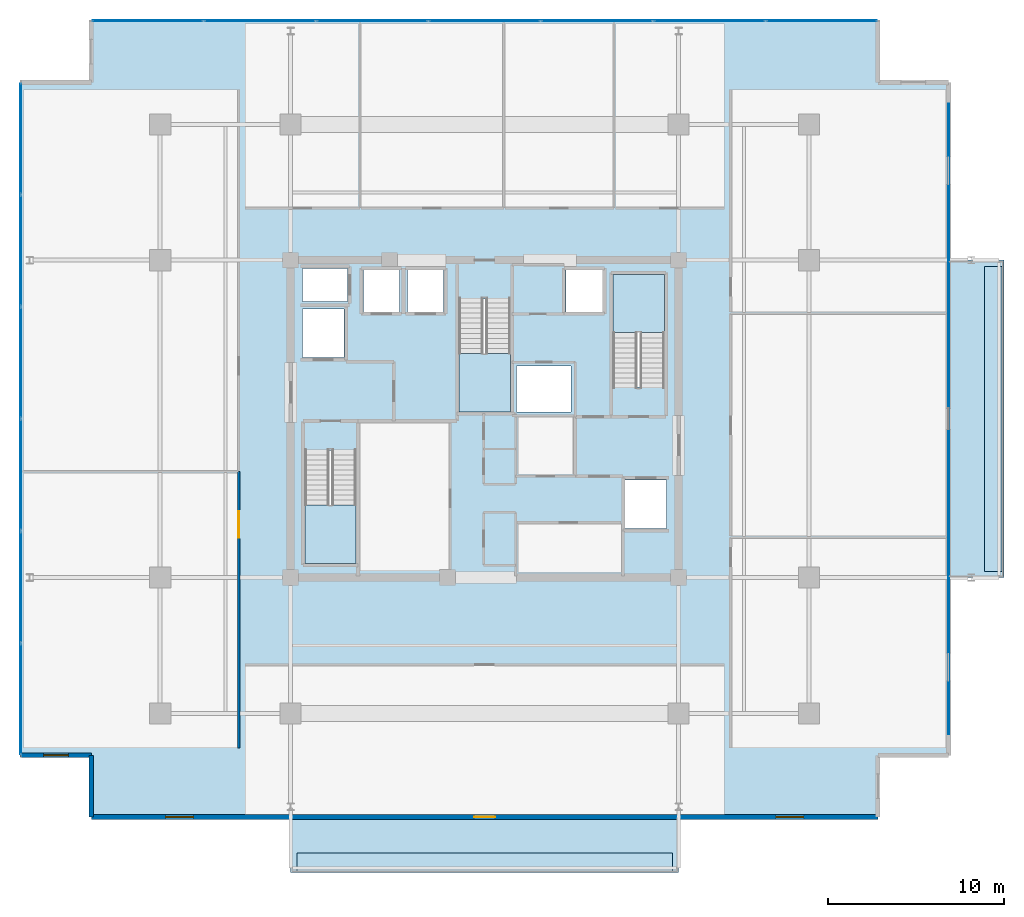
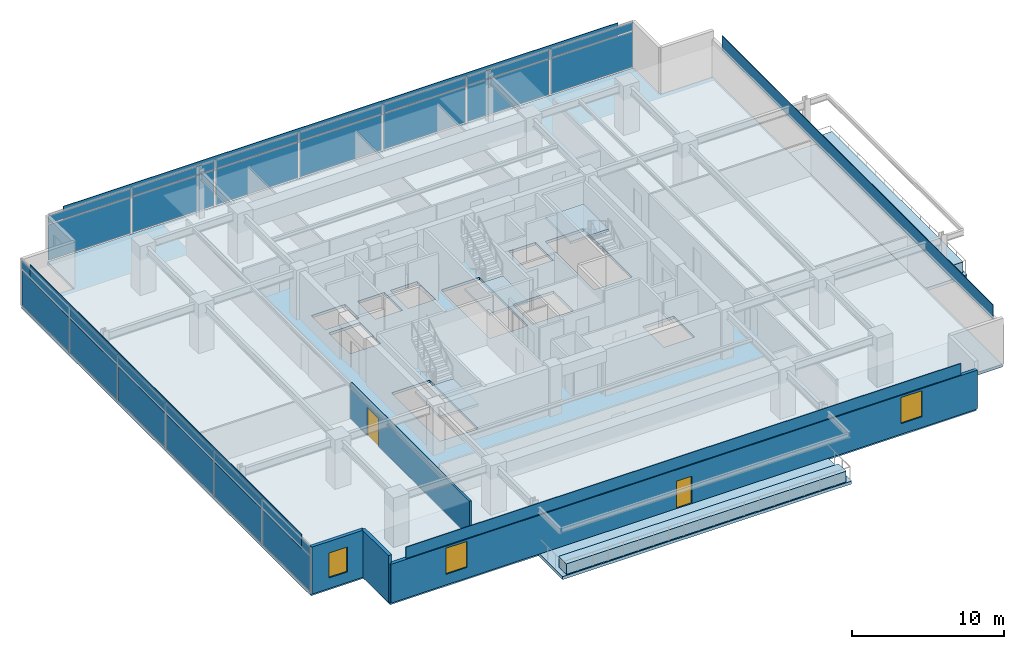
# One storey, part 13 of 21: 30 plates, 8 slabs, 4 walls, 3 windows, 2 doors, 5 openings, 5 elements without a shape of their own.
"""IFC4 building model written with IfcOpenShell, lengths in metres."""

from ifc_helpers import new_model, si_unit, direction, frame, frame_2d, origin, origin_2d, place, context, subcontext, project, spatial, polyline, rectangle, outline, extrude, material, layer, layer_set, type_object, element, fill, aggregate, save


model = new_model("IFC4")

# Units and contexts
model_context = context("Model", 3, precision=1e-05, world=origin(), true_north=direction((0.0, 1.0)))
body_context = subcontext(model_context, "Body", "Model", "MODEL_VIEW")
ifc_project = project(units=[si_unit("LENGTHUNIT", "METRE"), si_unit("AREAUNIT", "SQUARE_METRE"), si_unit("VOLUMEUNIT", "CUBIC_METRE"), si_unit("PLANEANGLEUNIT", "RADIAN"), si_unit("MASSUNIT", "GRAM", prefix="KILO")], contexts=[model_context])

# Site, building, storey
site_placement = place(None, origin())
site = spatial("IfcSite", under=ifc_project, at=site_placement, CompositionType="ELEMENT")
building_placement = place(site_placement, origin())
building = spatial("IfcBuilding", under=site, at=building_placement, Name="Kovane Verandah Tower", CompositionType="ELEMENT")
storey_placement = place(building_placement, frame((0.0, 0.0, 263.199951171875)))
storey = spatial("IfcBuildingStorey", under=building, at=storey_placement, Name="L61", CompositionType="ELEMENT", Elevation=263.199951171875)

# Curtain wall, plates
ifc_material_1 = material(Name="Champagne Anodised Aluminium Frame with Low-E Clear Laminated Glass", Category="aluminium")
curtain_wall_type = type_object("IfcCurtainWallType", Name="CW-SYS-05-HIGH", PredefinedType="NOTDEFINED", material=ifc_material_1)
curtain_wall_1_placement = place(storey_placement, origin())
curtain_wall_1 = element("IfcCurtainWall", 1, at=curtain_wall_1_placement, inside=storey, type_object=curtain_wall_type, Name="L61 N Unitised Curtain Wall", PredefinedType="NOTDEFINED")
ifc_material_2 = material(Name="Pale Champagne Anodised Aluminium Insulated Spandrel", Category="aluminium")
ifc_layer_1 = layer(ifc_material_2, 0.0400390625)
ifc_layer_set_1 = layer_set([ifc_layer_1], Name="Pale Champagne Anodised Aluminium Insulated Spandrel")
plate_type_1 = type_object("IfcPlateType", Name="PL-CW-SPD-40", PredefinedType="SHEET", material=ifc_layer_set_1)
plate_1_placement = place(storey_placement, frame((59.120849609375, 50.080078125, 3.05517578125), z_axis=(0.0, 0.0, 1.0), x_axis=(-1.0, 0.0, 0.0)))
plate_1 = element("IfcPlate", 2, at=plate_1_placement, type_object=plate_type_1, Name="L61 N Unitised Curtain Wall Spandrel Panel 1", PredefinedType="SHEET", context=body_context, shape_type="SweptSolid", body=[
    extrude(rectangle(XDim=6.233642578125, YDim=0.0400390625, at=origin_2d()), origin(), (0.0, 0.0, 1.0), 0.639892578125),
])
plate_2_placement = place(storey_placement, frame((52.747314453125, 50.080078125, 3.05517578125), z_axis=(0.0, 0.0, 1.0), x_axis=(-1.0, 0.0, 0.0)))
plate_2 = element("IfcPlate", 3, at=plate_2_placement, type_object=plate_type_1, Name="L61 N Unitised Curtain Wall Spandrel Panel 2", PredefinedType="SHEET", context=body_context, shape_type="SweptSolid", body=[
    extrude(rectangle(XDim=6.233642578125, YDim=0.0400390625, at=origin_2d()), origin(), (0.0, 0.0, 1.0), 0.639892578125),
])
plate_3_placement = place(storey_placement, frame((46.37353515625, 50.080078125, 3.05517578125), z_axis=(0.0, 0.0, 1.0), x_axis=(-1.0, 0.0, 0.0)))
plate_3 = element("IfcPlate", 4, at=plate_3_placement, type_object=plate_type_1, Name="L61 N Unitised Curtain Wall Spandrel Panel 3", PredefinedType="SHEET", context=body_context, shape_type="SweptSolid", body=[
    extrude(rectangle(XDim=6.233642578125, YDim=0.0400390625, at=origin_2d()), origin(), (0.0, 0.0, 1.0), 0.639892578125),
])
plate_4_placement = place(storey_placement, frame((40.0, 50.080078125, 3.05517578125), z_axis=(0.0, 0.0, 1.0), x_axis=(-1.0, 0.0, 0.0)))
plate_4 = element("IfcPlate", 5, at=plate_4_placement, type_object=plate_type_1, Name="L61 N Unitised Curtain Wall Spandrel Panel 4", PredefinedType="SHEET", context=body_context, shape_type="SweptSolid", body=[
    extrude(rectangle(XDim=6.233642578125, YDim=0.0400390625, at=origin_2d()), origin(), (0.0, 0.0, 1.0), 0.639892578125),
])
plate_5_placement = place(storey_placement, frame((33.62646484375, 50.080078125, 3.05517578125), z_axis=(0.0, 0.0, 1.0), x_axis=(-1.0, 0.0, 0.0)))
plate_5 = element("IfcPlate", 6, at=plate_5_placement, type_object=plate_type_1, Name="L61 N Unitised Curtain Wall Spandrel Panel 5", PredefinedType="SHEET", context=body_context, shape_type="SweptSolid", body=[
    extrude(rectangle(XDim=6.233642578125, YDim=0.0400390625, at=origin_2d()), origin(), (0.0, 0.0, 1.0), 0.639892578125),
])
plate_6_placement = place(storey_placement, frame((27.252685546875, 50.080078125, 3.05517578125), z_axis=(0.0, 0.0, 1.0), x_axis=(-1.0, 0.0, 0.0)))
plate_6 = element("IfcPlate", 7, at=plate_6_placement, type_object=plate_type_1, Name="L61 N Unitised Curtain Wall Spandrel Panel 6", PredefinedType="SHEET", context=body_context, shape_type="SweptSolid", body=[
    extrude(rectangle(XDim=6.233642578125, YDim=0.0400390625, at=origin_2d()), origin(), (0.0, 0.0, 1.0), 0.639892578125),
])
plate_7_placement = place(storey_placement, frame((20.879150390625, 50.080078125, 3.05517578125), z_axis=(0.0, 0.0, 1.0), x_axis=(-1.0, 0.0, 0.0)))
plate_7 = element("IfcPlate", 8, at=plate_7_placement, type_object=plate_type_1, Name="L61 N Unitised Curtain Wall Spandrel Panel 7", PredefinedType="SHEET", context=body_context, shape_type="SweptSolid", body=[
    extrude(rectangle(XDim=6.233642578125, YDim=0.0400390625, at=origin_2d()), origin(), (0.0, 0.0, 1.0), 0.639892578125),
])

curtain_wall_2_placement = place(storey_placement, origin())
curtain_wall_2 = element("IfcCurtainWall", 9, at=curtain_wall_2_placement, inside=storey, type_object=curtain_wall_type, Name="L61 W Unitised Curtain Wall", PredefinedType="NOTDEFINED")
plate_8_placement = place(storey_placement, frame((13.6923828125, 43.39990234375, 3.05517578125), z_axis=(0.0, 0.0, 1.0), x_axis=(0.0, -1.0, 0.0)))
plate_8 = element("IfcPlate", 10, at=plate_8_placement, type_object=plate_type_1, Name="L61 W Unitised Curtain Wall Spandrel Panel 1", PredefinedType="SHEET", context=body_context, shape_type="SweptSolid", body=[
    extrude(rectangle(XDim=6.219970703125, YDim=0.0400390625, at=origin_2d()), origin(), (0.0, 0.0, 1.0), 0.639892578125),
])
plate_9_placement = place(storey_placement, frame((13.6923828125, 37.0400390625, 3.05517578125), z_axis=(0.0, 0.0, 1.0), x_axis=(0.0, -1.0, 0.0)))
plate_9 = element("IfcPlate", 11, at=plate_9_placement, type_object=plate_type_1, Name="L61 W Unitised Curtain Wall Spandrel Panel 2", PredefinedType="SHEET", context=body_context, shape_type="SweptSolid", body=[
    extrude(rectangle(XDim=6.219970703125, YDim=0.0400390625, at=origin_2d()), origin(), (0.0, 0.0, 1.0), 0.639892578125),
])
plate_10_placement = place(storey_placement, frame((13.6923828125, 30.679931640625, 3.05517578125), z_axis=(0.0, 0.0, 1.0), x_axis=(0.0, -1.0, 0.0)))
plate_10 = element("IfcPlate", 12, at=plate_10_placement, type_object=plate_type_1, Name="L61 W Unitised Curtain Wall Spandrel Panel 3", PredefinedType="SHEET", context=body_context, shape_type="SweptSolid", body=[
    extrude(rectangle(XDim=6.219970703125, YDim=0.0400390625, at=origin_2d()), origin(), (0.0, 0.0, 1.0), 0.639892578125),
])
plate_11_placement = place(storey_placement, frame((13.6923828125, 24.320068359375, 3.05517578125), z_axis=(0.0, 0.0, 1.0), x_axis=(0.0, -1.0, 0.0)))
plate_11 = element("IfcPlate", 13, at=plate_11_placement, type_object=plate_type_1, Name="L61 W Unitised Curtain Wall Spandrel Panel 4", PredefinedType="SHEET", context=body_context, shape_type="SweptSolid", body=[
    extrude(rectangle(XDim=6.219970703125, YDim=0.0400390625, at=origin_2d()), origin(), (0.0, 0.0, 1.0), 0.639892578125),
])
plate_12_placement = place(storey_placement, frame((13.6923828125, 17.9599609375, 3.05517578125), z_axis=(0.0, 0.0, 1.0), x_axis=(0.0, -1.0, 0.0)))
plate_12 = element("IfcPlate", 14, at=plate_12_placement, type_object=plate_type_1, Name="L61 W Unitised Curtain Wall Spandrel Panel 5", PredefinedType="SHEET", context=body_context, shape_type="SweptSolid", body=[
    extrude(rectangle(XDim=6.219970703125, YDim=0.0400390625, at=origin_2d()), origin(), (0.0, 0.0, 1.0), 0.639892578125),
])
plate_13_placement = place(storey_placement, frame((13.6923828125, 11.60009765625, 3.05517578125), z_axis=(0.0, 0.0, 1.0), x_axis=(0.0, -1.0, 0.0)))
plate_13 = element("IfcPlate", 15, at=plate_13_placement, type_object=plate_type_1, Name="L61 W Unitised Curtain Wall Spandrel Panel 6", PredefinedType="SHEET", context=body_context, shape_type="SweptSolid", body=[
    extrude(rectangle(XDim=6.219970703125, YDim=0.0400390625, at=origin_2d()), origin(), (0.0, 0.0, 1.0), 0.639892578125),
])

# Plate
ifc_material_3 = material(Name="Clear Low-E Laminated Double Glazing", Category="glass")
ifc_layer_2 = layer(ifc_material_3, 0.031982421875)
ifc_layer_set_2 = layer_set([ifc_layer_2], Name="Clear Low-E Laminated Double Glazing")
plate_type_2 = type_object("IfcPlateType", Name="PL-CW-VIS-32", PredefinedType="CURTAIN_PANEL", material=ifc_layer_set_2)
plate_14_placement = place(storey_placement, frame((59.120849609375, 50.080078125, 0.10009765625), z_axis=(0.0, 0.0, 1.0), x_axis=(-1.0, 0.0, 0.0)))
plate_14 = element("IfcPlate", 16, at=plate_14_placement, type_object=plate_type_2, Name="L61 N Unitised Curtain Wall Vision Panel 1", PredefinedType="CURTAIN_PANEL", context=body_context, shape_type="SweptSolid", body=[
    extrude(rectangle(XDim=6.233642578125, YDim=0.031982421875, at=origin_2d()), origin(), (0.0, 0.0, 1.0), 2.85498046875),
])

plate_15_placement = place(storey_placement, frame((52.747314453125, 50.080078125, 0.10009765625), z_axis=(0.0, 0.0, 1.0), x_axis=(-1.0, 0.0, 0.0)))
plate_15 = element("IfcPlate", 17, at=plate_15_placement, type_object=plate_type_2, Name="L61 N Unitised Curtain Wall Vision Panel 2", PredefinedType="CURTAIN_PANEL", context=body_context, shape_type="SweptSolid", body=[
    extrude(rectangle(XDim=6.233642578125, YDim=0.031982421875, at=origin_2d()), origin(), (0.0, 0.0, 1.0), 2.85498046875),
])

plate_16_placement = place(storey_placement, frame((46.37353515625, 50.080078125, 0.10009765625), z_axis=(0.0, 0.0, 1.0), x_axis=(-1.0, 0.0, 0.0)))
plate_16 = element("IfcPlate", 18, at=plate_16_placement, type_object=plate_type_2, Name="L61 N Unitised Curtain Wall Vision Panel 3", PredefinedType="CURTAIN_PANEL", context=body_context, shape_type="SweptSolid", body=[
    extrude(rectangle(XDim=6.233642578125, YDim=0.031982421875, at=origin_2d()), origin(), (0.0, 0.0, 1.0), 2.85498046875),
])

plate_17_placement = place(storey_placement, frame((40.0, 50.080078125, 0.10009765625), z_axis=(0.0, 0.0, 1.0), x_axis=(-1.0, 0.0, 0.0)))
plate_17 = element("IfcPlate", 19, at=plate_17_placement, type_object=plate_type_2, Name="L61 N Unitised Curtain Wall Vision Panel 4", PredefinedType="CURTAIN_PANEL", context=body_context, shape_type="SweptSolid", body=[
    extrude(rectangle(XDim=6.233642578125, YDim=0.031982421875, at=origin_2d()), origin(), (0.0, 0.0, 1.0), 2.85498046875),
])

plate_18_placement = place(storey_placement, frame((33.62646484375, 50.080078125, 0.10009765625), z_axis=(0.0, 0.0, 1.0), x_axis=(-1.0, 0.0, 0.0)))
plate_18 = element("IfcPlate", 20, at=plate_18_placement, type_object=plate_type_2, Name="L61 N Unitised Curtain Wall Vision Panel 5", PredefinedType="CURTAIN_PANEL", context=body_context, shape_type="SweptSolid", body=[
    extrude(rectangle(XDim=6.233642578125, YDim=0.031982421875, at=origin_2d()), origin(), (0.0, 0.0, 1.0), 2.85498046875),
])

plate_19_placement = place(storey_placement, frame((27.252685546875, 50.080078125, 0.10009765625), z_axis=(0.0, 0.0, 1.0), x_axis=(-1.0, 0.0, 0.0)))
plate_19 = element("IfcPlate", 21, at=plate_19_placement, type_object=plate_type_2, Name="L61 N Unitised Curtain Wall Vision Panel 6", PredefinedType="CURTAIN_PANEL", context=body_context, shape_type="SweptSolid", body=[
    extrude(rectangle(XDim=6.233642578125, YDim=0.031982421875, at=origin_2d()), origin(), (0.0, 0.0, 1.0), 2.85498046875),
])

plate_20_placement = place(storey_placement, frame((20.879150390625, 50.080078125, 0.10009765625), z_axis=(0.0, 0.0, 1.0), x_axis=(-1.0, 0.0, 0.0)))
plate_20 = element("IfcPlate", 22, at=plate_20_placement, type_object=plate_type_2, Name="L61 N Unitised Curtain Wall Vision Panel 7", PredefinedType="CURTAIN_PANEL", context=body_context, shape_type="SweptSolid", body=[
    extrude(rectangle(XDim=6.233642578125, YDim=0.031982421875, at=origin_2d()), origin(), (0.0, 0.0, 1.0), 2.85498046875),
])

aggregate(curtain_wall_1, [plate_14, plate_1, plate_15, plate_2, plate_16, plate_3, plate_17, plate_4, plate_18, plate_5, plate_19, plate_6, plate_20, plate_7])

plate_21_placement = place(storey_placement, frame((13.6923828125, 43.39990234375, 0.10009765625), z_axis=(0.0, 0.0, 1.0), x_axis=(0.0, -1.0, 0.0)))
plate_21 = element("IfcPlate", 23, at=plate_21_placement, type_object=plate_type_2, Name="L61 W Unitised Curtain Wall Vision Panel 1", PredefinedType="CURTAIN_PANEL", context=body_context, shape_type="SweptSolid", body=[
    extrude(rectangle(XDim=6.219970703125, YDim=0.031982421875, at=origin_2d()), origin(), (0.0, 0.0, 1.0), 2.85498046875),
])

plate_22_placement = place(storey_placement, frame((13.6923828125, 37.0400390625, 0.10009765625), z_axis=(0.0, 0.0, 1.0), x_axis=(0.0, -1.0, 0.0)))
plate_22 = element("IfcPlate", 24, at=plate_22_placement, type_object=plate_type_2, Name="L61 W Unitised Curtain Wall Vision Panel 2", PredefinedType="CURTAIN_PANEL", context=body_context, shape_type="SweptSolid", body=[
    extrude(rectangle(XDim=6.219970703125, YDim=0.031982421875, at=origin_2d()), origin(), (0.0, 0.0, 1.0), 2.85498046875),
])

plate_23_placement = place(storey_placement, frame((13.6923828125, 30.679931640625, 0.10009765625), z_axis=(0.0, 0.0, 1.0), x_axis=(0.0, -1.0, 0.0)))
plate_23 = element("IfcPlate", 25, at=plate_23_placement, type_object=plate_type_2, Name="L61 W Unitised Curtain Wall Vision Panel 3", PredefinedType="CURTAIN_PANEL", context=body_context, shape_type="SweptSolid", body=[
    extrude(rectangle(XDim=6.219970703125, YDim=0.031982421875, at=origin_2d()), origin(), (0.0, 0.0, 1.0), 2.85498046875),
])

plate_24_placement = place(storey_placement, frame((13.6923828125, 24.320068359375, 0.10009765625), z_axis=(0.0, 0.0, 1.0), x_axis=(0.0, -1.0, 0.0)))
plate_24 = element("IfcPlate", 26, at=plate_24_placement, type_object=plate_type_2, Name="L61 W Unitised Curtain Wall Vision Panel 4", PredefinedType="CURTAIN_PANEL", context=body_context, shape_type="SweptSolid", body=[
    extrude(rectangle(XDim=6.219970703125, YDim=0.031982421875, at=origin_2d()), origin(), (0.0, 0.0, 1.0), 2.85498046875),
])

plate_25_placement = place(storey_placement, frame((13.6923828125, 17.9599609375, 0.10009765625), z_axis=(0.0, 0.0, 1.0), x_axis=(0.0, -1.0, 0.0)))
plate_25 = element("IfcPlate", 27, at=plate_25_placement, type_object=plate_type_2, Name="L61 W Unitised Curtain Wall Vision Panel 5", PredefinedType="CURTAIN_PANEL", context=body_context, shape_type="SweptSolid", body=[
    extrude(rectangle(XDim=6.219970703125, YDim=0.031982421875, at=origin_2d()), origin(), (0.0, 0.0, 1.0), 2.85498046875),
])

plate_26_placement = place(storey_placement, frame((13.6923828125, 11.60009765625, 0.10009765625), z_axis=(0.0, 0.0, 1.0), x_axis=(0.0, -1.0, 0.0)))
plate_26 = element("IfcPlate", 28, at=plate_26_placement, type_object=plate_type_2, Name="L61 W Unitised Curtain Wall Vision Panel 6", PredefinedType="CURTAIN_PANEL", context=body_context, shape_type="SweptSolid", body=[
    extrude(rectangle(XDim=6.219970703125, YDim=0.031982421875, at=origin_2d()), origin(), (0.0, 0.0, 1.0), 2.85498046875),
])

aggregate(curtain_wall_2, [plate_21, plate_8, plate_22, plate_9, plate_23, plate_10, plate_24, plate_11, plate_25, plate_12, plate_26, plate_13])

# Plates
ifc_material_4 = material(Name="Perforated Pale Champagne Anodised Aluminium Solar Screen", Category="aluminium")
ifc_layer_3 = layer(ifc_material_4, 0.050048828125)
ifc_layer_set_3 = layer_set([ifc_layer_3], Name="Perforated Pale Champagne Anodised Aluminium Solar Screen")
plate_type_3 = type_object("IfcPlateType", Name="PL-SCREEN-50", PredefinedType="USERDEFINED", material=ifc_layer_set_3)
plate_27_placement = place(storey_placement, frame((40.0, 4.905029296875, 2.885009765625), z_axis=(0.0, 0.0, 1.0), x_axis=(1.0, 0.0, 0.0)))
element("IfcPlate", 29, at=plate_27_placement, inside=storey, type_object=plate_type_3, Name="L61 S Perforated Champagne-Gold Solar Screen", ObjectType="SCREEN", PredefinedType="USERDEFINED", context=body_context, shape_type="SweptSolid", body=[
    extrude(rectangle(XDim=42.215087890625, YDim=0.050048828125, at=origin_2d()), origin(), (0.0, 0.0, 1.0), 1.14990234375),
])
plate_28_placement = place(storey_placement, frame((66.322509765625, 27.5, 2.885009765625), z_axis=(0.0, 0.0, 1.0), x_axis=(0.0, 1.0, 0.0)))
element("IfcPlate", 30, at=plate_28_placement, inside=storey, type_object=plate_type_3, Name="L61 E Perforated Champagne-Gold Solar Screen", ObjectType="SCREEN", PredefinedType="USERDEFINED", context=body_context, shape_type="SweptSolid", body=[
    extrude(rectangle(XDim=35.760009765625, YDim=0.050048828125, at=origin_2d()), origin(), (0.0, 0.0, 1.0), 1.14990234375),
])
plate_29_placement = place(storey_placement, frame((40.0, 50.094970703125, 2.885009765625), z_axis=(0.0, 0.0, 1.0), x_axis=(-1.0, 0.0, 0.0)))
element("IfcPlate", 31, at=plate_29_placement, inside=storey, type_object=plate_type_3, Name="L61 N Perforated Champagne-Gold Solar Screen", ObjectType="SCREEN", PredefinedType="USERDEFINED", context=body_context, shape_type="SweptSolid", body=[
    extrude(rectangle(XDim=42.215087890625, YDim=0.050048828125, at=origin_2d()), origin(), (0.0, 0.0, 1.0), 1.14990234375),
])
plate_30_placement = place(storey_placement, frame((13.677490234375, 27.5, 2.885009765625), z_axis=(0.0, 0.0, 1.0), x_axis=(0.0, -1.0, 0.0)))
element("IfcPlate", 32, at=plate_30_placement, inside=storey, type_object=plate_type_3, Name="L61 W Perforated Champagne-Gold Solar Screen", ObjectType="SCREEN", PredefinedType="USERDEFINED", context=body_context, shape_type="SweptSolid", body=[
    extrude(rectangle(XDim=35.760009765625, YDim=0.050048828125, at=origin_2d()), origin(), (0.0, 0.0, 1.0), 1.14990234375),
])

# Slabs
ifc_material_5 = material(Name="Concrete C45/55", Category="concrete")
ifc_layer_4 = layer(ifc_material_5, 0.239990234375)
ifc_layer_set_4 = layer_set([ifc_layer_4], Name="Concrete C45/55")
slab_type_1 = type_object("IfcSlabType", Name="SL-BALC-240", PredefinedType="FLOOR", material=ifc_layer_set_4)
slab_1_placement = place(storey_placement, frame((0.0, 0.0, -0.239990234375)))
element("IfcSlab", 33, at=slab_1_placement, inside=storey, type_object=slab_type_1, Name="L61 S Planted Verandah Balcony Slab", PredefinedType="FLOOR", context=body_context, shape_type="SweptSolid", body=[
    extrude(outline(polyline([(29.0, 1.77001953125), (51.0, 1.77001953125), (51.0, 4.919921875), (29.0, 4.919921875), (29.0, 1.77001953125)])), origin(), (0.0, 0.0, 1.0), 0.239990234375),
])
slab_2_placement = place(storey_placement, frame((0.0, 0.0, -0.239990234375)))
element("IfcSlab", 34, at=slab_2_placement, inside=storey, type_object=slab_type_1, Name="L61 E Planted Verandah Balcony Slab", PredefinedType="FLOOR", context=body_context, shape_type="SweptSolid", body=[
    extrude(outline(polyline([(66.3076171875, 18.5), (69.45751953125, 18.5), (69.45751953125, 36.5), (66.3076171875, 36.5), (66.3076171875, 18.5)])), origin(), (0.0, 0.0, 1.0), 0.239990234375),
])
ifc_layer_5 = layer(ifc_material_5, 0.215087890625)
ifc_layer_set_5 = layer_set([ifc_layer_5], Name="Concrete C45/55")
slab_type_2 = type_object("IfcSlabType", Name="SL-HIGH-215", PredefinedType="FLOOR", material=ifc_layer_set_5)
slab_3_placement = place(storey_placement, frame((0.0, 0.0, -0.21484375)))
element("IfcSlab", 35, at=slab_3_placement, inside=storey, type_object=slab_type_2, Name="L61 Structural Floor Slab", PredefinedType="FLOOR", context=body_context, shape_type="SweptSolid", body=[
    extrude(outline(polyline([(17.6923828125, 4.919921875), (62.3076171875, 4.919921875), (62.3076171875, 8.419921875), (66.3076171875, 8.419921875), (66.3076171875, 46.580078125), (62.3076171875, 46.580078125), (62.3076171875, 50.080078125), (17.6923828125, 50.080078125), (17.6923828125, 46.580078125), (13.6923828125, 46.580078125), (13.6923828125, 8.419921875), (17.6923828125, 8.419921875), (17.6923828125, 4.919921875)]), holes=[polyline([(29.800048828125, 19.300048828125), (32.719970703125, 19.300048828125), (32.719970703125, 25.705078125), (29.800048828125, 25.705078125), (29.800048828125, 19.300048828125)]), polyline([(47.280029296875, 29.294921875), (50.199951171875, 29.294921875), (50.199951171875, 35.699951171875), (47.280029296875, 35.699951171875), (47.280029296875, 29.294921875)]), polyline([(38.5400390625, 27.89990234375), (41.4599609375, 27.89990234375), (41.4599609375, 34.304931640625), (38.5400390625, 34.304931640625), (38.5400390625, 27.89990234375)]), polyline([(29.669921875, 30.969970703125), (32.030029296875, 30.969970703125), (32.030029296875, 33.72998046875), (29.669921875, 33.72998046875), (29.669921875, 30.969970703125)]), polyline([(47.969970703125, 21.27001953125), (50.330078125, 21.27001953125), (50.330078125, 24.030029296875), (47.969970703125, 24.030029296875), (47.969970703125, 21.27001953125)]), polyline([(29.669921875, 34.169921875), (32.22998046875, 34.169921875), (32.22998046875, 36.030029296875), (29.669921875, 36.030029296875), (29.669921875, 34.169921875)]), polyline([(33.1201171875, 33.570068359375), (35.179931640625, 33.570068359375), (35.179931640625, 35.929931640625), (33.1201171875, 35.929931640625), (33.1201171875, 33.570068359375)]), polyline([(35.6201171875, 33.570068359375), (37.679931640625, 33.570068359375), (37.679931640625, 35.929931640625), (35.6201171875, 35.929931640625), (35.6201171875, 33.570068359375)]), polyline([(44.6201171875, 33.570068359375), (46.679931640625, 33.570068359375), (46.679931640625, 35.929931640625), (44.6201171875, 35.929931640625), (44.6201171875, 33.570068359375)]), polyline([(41.800048828125, 27.89990234375), (44.89990234375, 27.89990234375), (44.89990234375, 30.5), (41.800048828125, 30.5), (41.800048828125, 27.89990234375)])]), origin(), (0.0, 0.0, 1.0), 0.21484375),
])

# Stair, slab
stair_type = type_object("IfcStairType", Name="ST-CORE-1380", PredefinedType="HALF_TURN_STAIR", material=ifc_material_5)
stair_1_placement = place(storey_placement, origin())
stair_1 = element("IfcStair", 36, at=stair_1_placement, inside=storey, type_object=stair_type, Name="L61 Exit Stair ST-01", PredefinedType="HALF_TURN_STAIR")
ifc_layer_6 = layer(ifc_material_5, 0.199951171875)
ifc_layer_set_6 = layer_set([ifc_layer_6], Name="Concrete C45/55")
slab_type_3 = type_object("IfcSlabType", Name="SL-LAND-200", PredefinedType="LANDING", material=ifc_layer_set_6)
slab_4_placement = place(storey_placement, frame((0.0, 0.0, 1.800048828125)))
slab_4 = element("IfcSlab", 37, at=slab_4_placement, type_object=slab_type_3, Name="ST-01 landing 1", PredefinedType="LANDING", context=body_context, shape_type="SweptSolid", body=[
    extrude(outline(polyline([(29.800048828125, 22.614990234375), (29.800048828125, 19.300048828125), (32.719970703125, 19.300048828125), (32.719970703125, 22.614990234375), (29.800048828125, 22.614990234375)])), origin(), (0.0, 0.0, 1.0), 0.199951171875),
])
aggregate(stair_1, [slab_4])

stair_2_placement = place(storey_placement, origin())
stair_2 = element("IfcStair", 38, at=stair_2_placement, inside=storey, type_object=stair_type, Name="L61 Exit Stair ST-02", PredefinedType="HALF_TURN_STAIR")
slab_5_placement = place(storey_placement, frame((0.0, 0.0, 1.800048828125)))
slab_5 = element("IfcSlab", 39, at=slab_5_placement, type_object=slab_type_3, Name="ST-02 landing 1", PredefinedType="LANDING", context=body_context, shape_type="SweptSolid", body=[
    extrude(outline(polyline([(50.199951171875, 32.385009765625), (50.199951171875, 35.699951171875), (47.280029296875, 35.699951171875), (47.280029296875, 32.385009765625), (50.199951171875, 32.385009765625)])), origin(), (0.0, 0.0, 1.0), 0.199951171875),
])
aggregate(stair_2, [slab_5])

stair_3_placement = place(storey_placement, origin())
stair_3 = element("IfcStair", 40, at=stair_3_placement, inside=storey, type_object=stair_type, Name="L61 Exit Stair ST-03", PredefinedType="HALF_TURN_STAIR")
slab_6_placement = place(storey_placement, frame((0.0, 0.0, 1.800048828125)))
slab_6 = element("IfcSlab", 41, at=slab_6_placement, type_object=slab_type_3, Name="ST-03 landing 1", PredefinedType="LANDING", context=body_context, shape_type="SweptSolid", body=[
    extrude(outline(polyline([(38.5400390625, 31.215087890625), (38.5400390625, 27.89990234375), (41.4599609375, 27.89990234375), (41.4599609375, 31.215087890625), (38.5400390625, 31.215087890625)])), origin(), (0.0, 0.0, 1.0), 0.199951171875),
])
aggregate(stair_3, [slab_6])

# Slabs
ifc_material_6 = material(Name="Architectural Precast Concrete C45/55 Planter Trough", Category="concrete")
ifc_layer_7 = layer(ifc_material_6, 0.219970703125)
ifc_layer_set_7 = layer_set([ifc_layer_7], Name="Architectural Precast Concrete C45/55 Planter Trough")
slab_type_4 = type_object("IfcSlabType", Name="SL-PLANTER-220", PredefinedType="USERDEFINED", material=ifc_layer_set_7)
slab_7_placement = place(storey_placement, origin())
element("IfcSlab", 42, at=slab_7_placement, inside=storey, type_object=slab_type_4, Name="L61 S Structural Tree Planter", ObjectType="PLANTER", PredefinedType="USERDEFINED", context=body_context, shape_type="SweptSolid", body=[
    extrude(outline(polyline([(29.35009765625, 1.8701171875), (50.64990234375, 1.8701171875), (50.64990234375, 2.8701171875), (29.35009765625, 2.8701171875), (29.35009765625, 1.8701171875)])), origin(), (0.0, 0.0, 1.0), 0.85009765625),
])
slab_8_placement = place(storey_placement, origin())
element("IfcSlab", 43, at=slab_8_placement, inside=storey, type_object=slab_type_4, Name="L61 E Structural Tree Planter", ObjectType="PLANTER", PredefinedType="USERDEFINED", context=body_context, shape_type="SweptSolid", body=[
    extrude(outline(polyline([(68.357666015625, 18.85009765625), (69.357666015625, 18.85009765625), (69.357666015625, 36.14990234375), (68.357666015625, 36.14990234375), (68.357666015625, 18.85009765625)])), origin(), (0.0, 0.0, 1.0), 0.85009765625),
])

# Wall, opening, door
ifc_material_7 = material(Name="Fire-Rated Gypsum Stud Partition", Category="gypsum")
ifc_layer_8 = layer(ifc_material_7, 0.14990234375)
ifc_layer_set_8 = layer_set([ifc_layer_8], Name="Fire-Rated Gypsum Stud Partition")
wall_type_1 = type_object("IfcWallType", Name="WL-COR-150", PredefinedType="PARTITIONING", material=ifc_layer_set_8)
wall_1_placement = place(storey_placement, frame((26.050048828125, 8.820068359375, 0.0), z_axis=(0.0, 0.0, 1.0), x_axis=(0.0, 1.0, 0.0)))
wall_1 = element("IfcWall", 44, at=wall_1_placement, inside=storey, type_object=wall_type_1, Name="L61 Client Boardroom W1 Corridor Partition", PredefinedType="PARTITIONING", context=body_context, shape_type="SweptSolid", body=[
    extrude(rectangle(XDim=15.691162109375, YDim=0.14990234375, at=frame_2d((7.845703125, 0.0))), origin(), (0.0, 0.0, 1.0), 2.85009765625),
])
opening_1_placement = place(wall_1_placement, frame((11.95068359375, 0.0, 0.0)))
opening_1 = element("IfcOpeningElement", 45, at=opening_1_placement, cuts=wall_1, Name="Opening DR-L61-027", PredefinedType="OPENING", context=body_context, shape_type="SweptSolid", body=[
    extrude(rectangle(XDim=1.5, YDim=2.25, at=frame_2d((0.75, 1.125))), frame((0.0, 0.074951171875, 0.0), z_axis=(0.0, -1.0, 0.0), x_axis=(1.0, 0.0, 0.0)), (0.0, 0.0, 1.0), 0.14990234375),
])
ifc_material_8 = material(Name="Glazed Timber Fire-Rated Double Door", Category="wood")
door_type_1 = type_object("IfcDoorType", Name="DR-CONF-1500", OperationType="DOUBLE_DOOR_SINGLE_SWING", PredefinedType="DOOR", material=ifc_material_8)
door_1_placement = place(opening_1_placement, origin())
door_1 = element("IfcDoor", 46, at=door_1_placement, inside=storey, type_object=door_type_1, Name="L61 Client Boardroom W1 Entrance Door", OperationType="DOUBLE_DOOR_SINGLE_SWING", OverallHeight=2.25, OverallWidth=1.5, PredefinedType="DOOR", context=body_context, shape_type="SweptSolid", body=[
    extrude(rectangle(XDim=1.5, YDim=2.25, at=frame_2d((0.75, 1.125))), frame((0.0, 0.02490234375, 0.0), z_axis=(0.0, -1.0, 0.0), x_axis=(1.0, 0.0, 0.0)), (0.0, 0.0, 1.0), 0.050048828125),
])
fill(opening_1, door_1)

# Wall, openings, door, windows
ifc_material_9 = material(Name="Concrete C45/55 Insulated Spandrel Wall", Category="concrete")
ifc_layer_9 = layer(ifc_material_9, 0.260009765625)
ifc_layer_set_9 = layer_set([ifc_layer_9], Name="Concrete C45/55 Insulated Spandrel Wall")
wall_type_2 = type_object("IfcWallType", Name="WL-SPANDREL-260", PredefinedType="PARAPET", material=ifc_layer_set_9)
wall_2_placement = place(storey_placement, frame((17.6923828125, 4.919921875, 0.0), z_axis=(0.0, 0.0, 1.0), x_axis=(1.0, 0.0, 0.0)))
wall_2 = element("IfcWall", 47, at=wall_2_placement, inside=storey, type_object=wall_type_2, Name="L61 S Verandah Access Facade Wall", PredefinedType="PARAPET", context=body_context, shape_type="SweptSolid", body=[
    extrude(rectangle(XDim=44.615234375, YDim=0.260009765625, at=frame_2d((22.3076171875, 0.0))), origin(), (0.0, 0.0, 1.0), 3.122802734375),
])
opening_2_placement = place(wall_2_placement, frame((4.199951171875, 0.0, 0.85009765625)))
opening_2 = element("IfcOpeningElement", 48, at=opening_2_placement, cuts=wall_2, Name="Opening W-02", PredefinedType="OPENING", context=body_context, shape_type="SweptSolid", body=[
    extrude(rectangle(XDim=1.60009765625, YDim=2.10009765625, at=frame_2d((0.800048828125, 1.050048828125))), frame((0.0, 0.1298828125, 0.0), z_axis=(0.0, -1.0, 0.0), x_axis=(1.0, 0.0, 0.0)), (0.0, 0.0, 1.0), 0.260009765625),
])
opening_3_placement = place(wall_2_placement, frame((21.70751953125, 0.0, 0.0)))
opening_3 = element("IfcOpeningElement", 49, at=opening_3_placement, cuts=wall_2, Name="Opening DR-L61-002", PredefinedType="OPENING", context=body_context, shape_type="SweptSolid", body=[
    extrude(rectangle(XDim=1.199951171875, YDim=2.199951171875, at=frame_2d((0.60009765625, 1.10009765625))), frame((0.0, 0.1298828125, 0.0), z_axis=(0.0, -1.0, 0.0), x_axis=(1.0, 0.0, 0.0)), (0.0, 0.0, 1.0), 0.260009765625),
])
opening_4_placement = place(wall_2_placement, frame((38.815185546875, 0.0, 0.85009765625)))
opening_4 = element("IfcOpeningElement", 50, at=opening_4_placement, cuts=wall_2, Name="Opening W-02", PredefinedType="OPENING", context=body_context, shape_type="SweptSolid", body=[
    extrude(rectangle(XDim=1.60009765625, YDim=2.10009765625, at=frame_2d((0.800048828125, 1.050048828125))), frame((0.0, 0.1298828125, 0.0), z_axis=(0.0, -1.0, 0.0), x_axis=(1.0, 0.0, 0.0)), (0.0, 0.0, 1.0), 0.260009765625),
])
ifc_material_10 = material(Name="Cyclone-Rated Glazed Balcony Leaf Door", Category="aluminium")
door_type_2 = type_object("IfcDoorType", Name="DR-BAL-1200x2200", OperationType="SINGLE_SWING_LEFT", PredefinedType="DOOR", material=ifc_material_10)
door_2_placement = place(opening_3_placement, origin())
door_2 = element("IfcDoor", 51, at=door_2_placement, inside=storey, type_object=door_type_2, Name="L61 S Planted Balcony Access Door", OperationType="SINGLE_SWING_LEFT", OverallHeight=2.199951171875, OverallWidth=1.199951171875, PredefinedType="DOOR", context=body_context, shape_type="SweptSolid", body=[
    extrude(rectangle(XDim=1.199951171875, YDim=2.199951171875, at=frame_2d((0.60009765625, 1.10009765625))), frame((0.0, 0.02490234375, 0.0), z_axis=(0.0, -1.0, 0.0), x_axis=(1.0, 0.0, 0.0)), (0.0, 0.0, 1.0), 0.050048828125),
])
fill(opening_3, door_2)
ifc_material_11 = material(Name="Clear Low-E Laminated Double Glazing in Anodised Frame", Category="glass")
window_type_1 = type_object("IfcWindowType", Name="WN-OPER-1600x2100", PartitioningType="SINGLE_PANEL", PredefinedType="WINDOW", material=ifc_material_11)
window_1_placement = place(opening_2_placement, origin())
window_1 = element("IfcWindow", 52, at=window_1_placement, inside=storey, type_object=window_type_1, Name="L61 S Verandah View Window 1", OverallHeight=2.10009765625, OverallWidth=1.60009765625, PartitioningType="SINGLE_PANEL", PredefinedType="WINDOW", context=body_context, shape_type="SweptSolid", body=[
    extrude(rectangle(XDim=1.60009765625, YDim=2.10009765625, at=frame_2d((0.800048828125, 1.050048828125))), frame((0.0, 0.030029296875, 0.0), z_axis=(0.0, -1.0, 0.0), x_axis=(1.0, 0.0, 0.0)), (0.0, 0.0, 1.0), 0.06005859375),
])
fill(opening_2, window_1)
window_2_placement = place(opening_4_placement, origin())
window_2 = element("IfcWindow", 53, at=window_2_placement, inside=storey, type_object=window_type_1, Name="L61 S Verandah View Window 2", OverallHeight=2.10009765625, OverallWidth=1.60009765625, PartitioningType="SINGLE_PANEL", PredefinedType="WINDOW", context=body_context, shape_type="SweptSolid", body=[
    extrude(rectangle(XDim=1.60009765625, YDim=2.10009765625, at=frame_2d((0.800048828125, 1.050048828125))), frame((0.0, 0.030029296875, 0.0), z_axis=(0.0, -1.0, 0.0), x_axis=(1.0, 0.0, 0.0)), (0.0, 0.0, 1.0), 0.06005859375),
])
fill(opening_4, window_2)

# Wall, opening, window
wall_3_placement = place(storey_placement, frame((13.6923828125, 8.419921875, 0.0), z_axis=(0.0, 0.0, 1.0), x_axis=(1.0, 0.0, 0.0)))
wall_3 = element("IfcWall", 54, at=wall_3_placement, inside=storey, type_object=wall_type_2, Name="L61 SW Notch Cheek Wall 1", PredefinedType="PARAPET", context=body_context, shape_type="SweptSolid", body=[
    extrude(rectangle(XDim=4.0, YDim=0.260009765625, at=frame_2d((2.0, 0.0))), origin(), (0.0, 0.0, 1.0), 3.78515625),
])
opening_5_placement = place(wall_3_placement, frame((1.300048828125, 0.0, 0.85009765625)))
opening_5 = element("IfcOpeningElement", 55, at=opening_5_placement, cuts=wall_3, Name="Opening W-01", PredefinedType="OPENING", context=body_context, shape_type="SweptSolid", body=[
    extrude(rectangle(XDim=1.39990234375, YDim=2.0, at=frame_2d((0.699951171875, 1.0))), frame((0.0, 0.1298828125, 0.0), z_axis=(0.0, -1.0, 0.0), x_axis=(1.0, 0.0, 0.0)), (0.0, 0.0, 1.0), 0.260009765625),
])
window_type_2 = type_object("IfcWindowType", Name="WN-OPER-1400x2000", PartitioningType="SINGLE_PANEL", PredefinedType="WINDOW", material=ifc_material_11)
window_3_placement = place(opening_5_placement, origin())
window_3 = element("IfcWindow", 56, at=window_3_placement, inside=storey, type_object=window_type_2, Name="L61 SW Re-Entrant Corner Operable Window", OverallHeight=2.0, OverallWidth=1.39990234375, PartitioningType="SINGLE_PANEL", PredefinedType="WINDOW", context=body_context, shape_type="SweptSolid", body=[
    extrude(rectangle(XDim=1.39990234375, YDim=2.0, at=frame_2d((0.699951171875, 1.0))), frame((0.0, 0.030029296875, 0.0), z_axis=(0.0, -1.0, 0.0), x_axis=(1.0, 0.0, 0.0)), (0.0, 0.0, 1.0), 0.06005859375),
])
fill(opening_5, window_3)

# Wall
wall_4_placement = place(storey_placement, frame((17.6923828125, 8.419921875, 0.0), z_axis=(0.0, 0.0, 1.0), x_axis=(0.0, -1.0, 0.0)))
element("IfcWall", 57, at=wall_4_placement, inside=storey, type_object=wall_type_2, Name="L61 SW Notch Cheek Wall 2", PredefinedType="PARAPET", context=body_context, shape_type="SweptSolid", body=[
    extrude(rectangle(XDim=3.5, YDim=0.260009765625, at=frame_2d((1.75, 0.0))), origin(), (0.0, 0.0, 1.0), 3.78515625),
])

save(model, "model.ifc")
